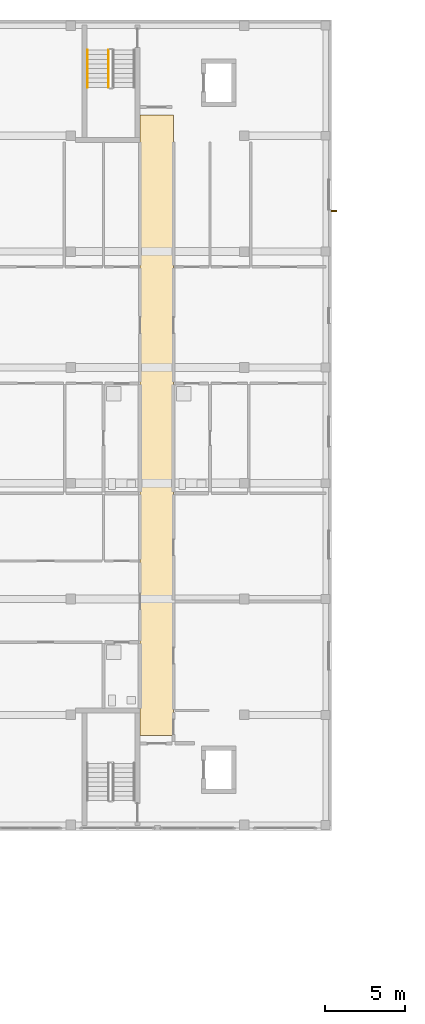
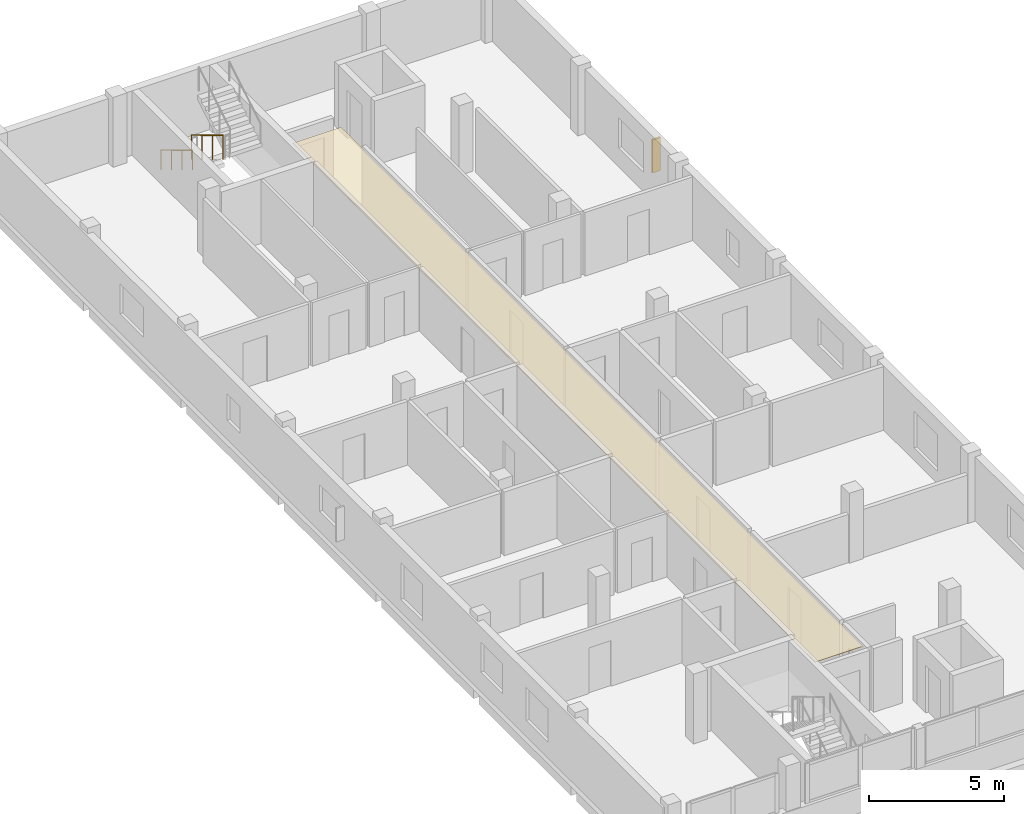
# One storey, part 26 of 35: 2 railings, 1 covering, 1 shading device.
"""IFC4 building model written with IfcOpenShell, lengths in metres."""

from ifc_helpers import new_model, si_unit, derived_unit, direction, frame, origin, origin_2d, place, context, subcontext, project, spatial, polyline, rectangle, circle, outline, extrude, material, layer, layer_set, type_object, element, save


model = new_model("IFC4")

# Units and contexts
model_context = context("Model", 3, precision=1e-05, world=origin(), true_north=direction((0.0, 1.0)))
body_context = subcontext(model_context, "Body", "Model", "MODEL_VIEW")
ifc_project = project(units=[si_unit("LENGTHUNIT", "METRE"), si_unit("AREAUNIT", "SQUARE_METRE"), si_unit("VOLUMEUNIT", "CUBIC_METRE"), si_unit("PLANEANGLEUNIT", "RADIAN"), si_unit("MASSUNIT", "GRAM", prefix="KILO"), derived_unit("THERMALTRANSMITTANCEUNIT", [(si_unit("MASSUNIT", "GRAM", prefix="KILO"), 1), (si_unit("TIMEUNIT", "SECOND"), -3), (si_unit("THERMODYNAMICTEMPERATUREUNIT", "KELVIN"), -1)])], contexts=[model_context])

# Site, building, storey
site_placement = place(None, origin())
site = spatial("IfcSite", under=ifc_project, at=site_placement, CompositionType="ELEMENT")
building_placement = place(site_placement, origin())
building = spatial("IfcBuilding", under=site, at=building_placement, Name="Ochrekiln Boulevard Commons", CompositionType="ELEMENT")
storey_placement = place(building_placement, frame((0.0, 0.0, 30.97509765625)))
storey = spatial("IfcBuildingStorey", under=building, at=storey_placement, Name="L09", CompositionType="ELEMENT", Elevation=30.97509765625)

# Covering
ifc_material_1 = material(Name="Mineral-fibre acoustic ceiling tile")
ifc_layer = layer(ifc_material_1, 0.02490234375)
ifc_layer_set = layer_set([ifc_layer], Name="Mineral-fibre acoustic ceiling tile")
covering_type = type_object("IfcCoveringType", Name="COV-CEIL-AC", PredefinedType="CEILING", material=ifc_layer_set)
covering_placement = place(storey_placement, frame((0.0, 0.0, 2.64990234375)))
element("IfcCovering", 1, at=covering_placement, inside=storey, type_object=covering_type, Name="L09 Acoustic Corridor Ceiling 63", PredefinedType="CEILING", context=body_context, shape_type="SweptSolid", body=[
    extrude(outline(polyline([(9.719970703125, 74.320068359375), (11.780029296875, 74.320068359375), (11.780029296875, 112.8798828125), (9.719970703125, 112.8798828125), (9.719970703125, 74.320068359375)])), origin(), (0.0, 0.0, 1.0), 0.02490234375),
])

# Railings
ifc_material_2 = material(Name="Brushed stainless steel 316 tubular railing", Category="steel")
railing_type_1 = type_object("IfcRailingType", Name="RLG-HDR-900", PredefinedType="HANDRAIL", material=ifc_material_2)
railing_1_placement = place(storey_placement, frame((6.449951171875, 116.929931640625, 0.1748046875)))
element("IfcRailing", 2, at=railing_1_placement, inside=storey, type_object=railing_type_1, Name="L09 ST-A2 stair handrail 1", PredefinedType="HANDRAIL", context=body_context, shape_type="SweptSolid", body=[
    extrude(circle(Radius=0.02392578125, at=origin_2d()), frame((0.0, 0.0, 0.8759765625), z_axis=(0.0, -0.856146426353, 0.516733293531), x_axis=(1.0, 0.0, 0.0)), (0.0, 0.0, 1.0), 2.709716796875),
    extrude(circle(Radius=0.02099609375, at=origin_2d()), origin(), (0.0, 0.0, 1.0), 0.851806640625),
    extrude(circle(Radius=0.02099609375, at=origin_2d()), frame((0.0, -0.773193359375, 0.466796875)), (0.0, 0.0, 1.0), 0.851806640625),
    extrude(circle(Radius=0.02099609375, at=origin_2d()), frame((0.0, -1.546630859375, 0.933349609375)), (0.0, 0.0, 1.0), 0.851806640625),
    extrude(circle(Radius=0.02099609375, at=origin_2d()), frame((0.0, -2.31982421875, 1.400146484375)), (0.0, 0.0, 1.0), 0.851806640625),
])
railing_type_2 = type_object("IfcRailingType", Name="RLG-STR-1120", PredefinedType="BALUSTRADE", material=ifc_material_2)
railing_2_placement = place(storey_placement, frame((7.75, 116.929931640625, 0.1748046875)))
element("IfcRailing", 3, at=railing_2_placement, inside=storey, type_object=railing_type_2, Name="L09 ST-A2 stair guard 1", PredefinedType="BALUSTRADE", context=body_context, shape_type="SweptSolid", body=[
    extrude(circle(Radius=0.02392578125, at=origin_2d()), frame((0.0, 0.0, 1.09619140625), z_axis=(0.0, -0.856146426353, 0.516733293531), x_axis=(1.0, 0.0, 0.0)), (0.0, 0.0, 1.0), 2.709716796875),
    extrude(circle(Radius=0.02099609375, at=origin_2d()), origin(), (0.0, 0.0, 1.0), 1.072021484375),
    extrude(circle(Radius=0.02099609375, at=origin_2d()), frame((0.0, -0.773193359375, 0.466796875)), (0.0, 0.0, 1.0), 1.072021484375),
    extrude(circle(Radius=0.02099609375, at=origin_2d()), frame((0.0, -1.546630859375, 0.933349609375)), (0.0, 0.0, 1.0), 1.072021484375),
    extrude(circle(Radius=0.02099609375, at=origin_2d()), frame((0.0, -2.31982421875, 1.400146484375)), (0.0, 0.0, 1.0), 1.072021484375),
])

# Shading device
ifc_material_3 = material(Name="Glazed architectural terracotta ASTM C1405", Category="masonry")
shading_device_type = type_object("IfcShadingDeviceType", Name="SHD-FIN-TERRA", PredefinedType="JALOUSIE", material=ifc_material_3)
shading_device_placement = place(storey_placement, frame((21.77001953125, 106.929931640625, 0.789794921875), z_axis=(0.0, 0.0, 1.0), x_axis=(1.0, 0.0, 0.0)))
element("IfcShadingDevice", 4, at=shading_device_placement, inside=storey, type_object=shading_device_type, Name="Terracotta Solar Shading Fin SF-01 (17)", PredefinedType="JALOUSIE", context=body_context, shape_type="SweptSolid", body=[
    extrude(rectangle(XDim=0.35009765625, YDim=0.080078125, at=origin_2d()), origin(), (0.0, 0.0, 1.0), 1.5),
])

save(model, "model.ifc")
